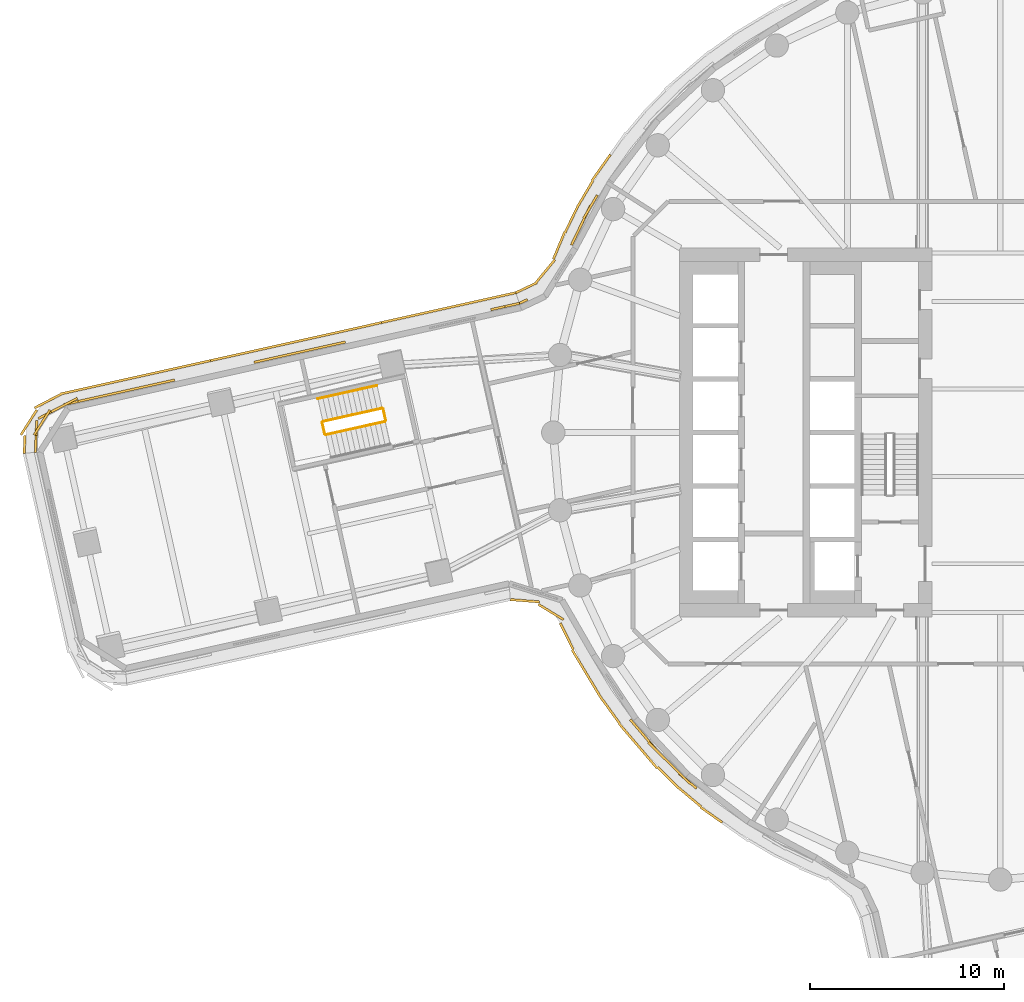
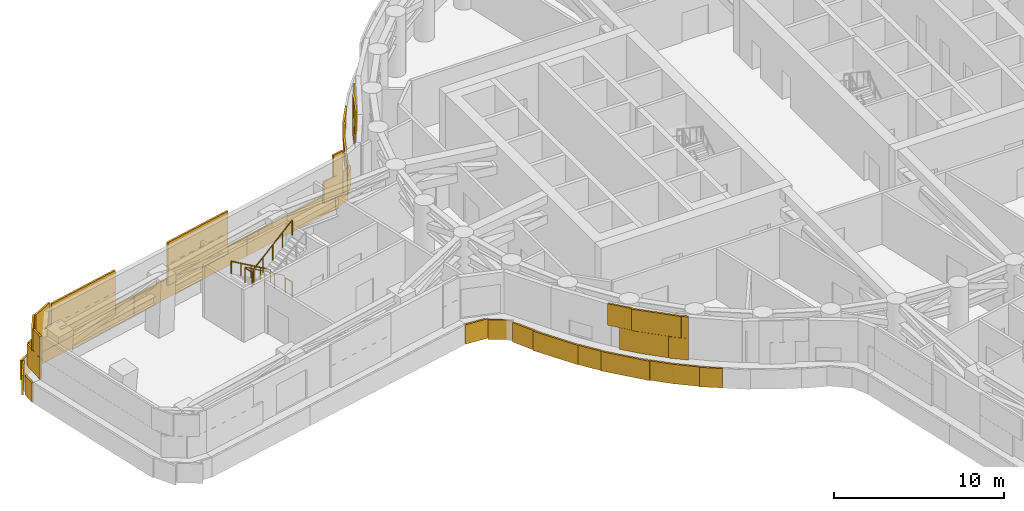
# One storey, part 18 of 22: 5 coverings, 5 railings.
"""IFC4 building model written with IfcOpenShell, lengths in metres."""

from ifc_helpers import new_model, si_unit, direction, frame, origin, origin_2d, place, context, subcontext, project, spatial, rectangle, circle, extrude, material, layer, layer_set, type_object, element, save


model = new_model("IFC4")

# Units and contexts
model_context = context("Model", 3, precision=1e-05, world=origin(), true_north=direction((0.0, 1.0)))
body_context = subcontext(model_context, "Body", "Model", "MODEL_VIEW")
ifc_project = project(units=[si_unit("LENGTHUNIT", "METRE"), si_unit("AREAUNIT", "SQUARE_METRE"), si_unit("VOLUMEUNIT", "CUBIC_METRE"), si_unit("PLANEANGLEUNIT", "RADIAN"), si_unit("MASSUNIT", "GRAM", prefix="KILO")], contexts=[model_context])

# Site, building, storey
site_placement = place(None, origin())
site = spatial("IfcSite", under=ifc_project, at=site_placement, CompositionType="ELEMENT")
building_placement = place(site_placement, origin())
building = spatial("IfcBuilding", under=site, at=building_placement, Name="Tamarind Cross Interchange Tower", CompositionType="ELEMENT")
storey_placement = place(building_placement, frame((0.0, 0.0, 79.0)))
storey = spatial("IfcBuildingStorey", under=building, at=storey_placement, Name="L18", CompositionType="ELEMENT", Elevation=79.0)

# Railings
ifc_material_1 = material(Name="Stair guard")
railing_type_1 = type_object("IfcRailingType", Name="Stair guard", PredefinedType="GUARDRAIL", material=ifc_material_1)
railing_1_placement = place(storey_placement, frame((-31.805419921875, 1.251220703125, 0.173095703125)))
element("IfcRailing", 1, at=railing_1_placement, inside=storey, type_object=railing_type_1, Name="L18 ST5 stair guard 1", PredefinedType="GUARDRAIL", context=body_context, shape_type="SweptSolid", body=[
    extrude(circle(Radius=0.02392578125, at=origin_2d()), frame((0.0, 0.0, 1.076171875), z_axis=(-0.812587629324, -0.180690828356, 0.554122882778), x_axis=(0.217063019009, -0.976157592696, 0.0)), (0.0, 0.0, 1.0), 3.748046875),
    extrude(circle(Radius=0.02099609375, at=origin_2d()), origin(), (0.0, 0.0, 1.0), 1.052001953125),
    extrude(circle(Radius=0.02099609375, at=origin_2d()), frame((-0.761474609375, -0.16943359375, 0.519287109375)), (0.0, 0.0, 1.0), 1.052001953125),
    extrude(circle(Radius=0.02099609375, at=origin_2d()), frame((-1.52294921875, -0.338623046875, 1.03857421875)), (0.0, 0.0, 1.0), 1.052001953125),
    extrude(circle(Radius=0.02099609375, at=origin_2d()), frame((-2.2841796875, -0.5078125, 1.5576171875)), (0.0, 0.0, 1.0), 1.052001953125),
    extrude(circle(Radius=0.02099609375, at=origin_2d()), frame((-3.045654296875, -0.67724609375, 2.076904296875)), (0.0, 0.0, 1.0), 1.052001953125),
])
railing_2_placement = place(storey_placement, frame((-34.888916015625, 0.514404296875, 2.25)))
element("IfcRailing", 2, at=railing_2_placement, inside=storey, type_object=railing_type_1, Name="L18 ST5 stair guard 2", PredefinedType="GUARDRAIL", context=body_context, shape_type="SweptSolid", body=[
    extrude(circle(Radius=0.02392578125, at=origin_2d()), frame((0.0, 0.0, 1.076171875), z_axis=(0.216887372157, -0.976196633778, 0.0), x_axis=(0.976196633778, 0.216887372157, 0.0)), (0.0, 0.0, 1.0), 0.599853515625),
    extrude(circle(Radius=0.02099609375, at=origin_2d()), origin(), (0.0, 0.0, 1.0), 1.052001953125),
    extrude(circle(Radius=0.02099609375, at=origin_2d()), frame((0.130126953125, -0.585693359375, 0.0)), (0.0, 0.0, 1.0), 1.052001953125),
])
railing_3_placement = place(storey_placement, frame((-34.698974609375, -0.109375, 2.423095703125)))
element("IfcRailing", 3, at=railing_3_placement, inside=storey, type_object=railing_type_1, Name="L18 ST5 stair guard 3", PredefinedType="GUARDRAIL", context=body_context, shape_type="SweptSolid", body=[
    extrude(circle(Radius=0.02392578125, at=origin_2d()), frame((0.0, 0.0, 1.076171875), z_axis=(0.812565500343, 0.180700392653, 0.554152213518), x_axis=(-0.217079600269, 0.976153905461, 0.0)), (0.0, 0.0, 1.0), 3.747802734375),
    extrude(circle(Radius=0.02099609375, at=origin_2d()), origin(), (0.0, 0.0, 1.0), 1.052001953125),
    extrude(circle(Radius=0.02099609375, at=origin_2d()), frame((0.76123046875, 0.16943359375, 0.519287109375)), (0.0, 0.0, 1.0), 1.052001953125),
    extrude(circle(Radius=0.02099609375, at=origin_2d()), frame((1.522705078125, 0.338623046875, 1.03857421875)), (0.0, 0.0, 1.0), 1.052001953125),
    extrude(circle(Radius=0.02099609375, at=origin_2d()), frame((2.2841796875, 0.5078125, 1.5576171875)), (0.0, 0.0, 1.0), 1.052001953125),
    extrude(circle(Radius=0.02099609375, at=origin_2d()), frame((3.04541015625, 0.67724609375, 2.076904296875)), (0.0, 0.0, 1.0), 1.052001953125),
])
railing_4_placement = place(storey_placement, frame((-31.745849609375, 1.21337890625, 0.0)))
element("IfcRailing", 4, at=railing_4_placement, inside=storey, type_object=railing_type_1, Name="L18 ST5 stair guard 4", PredefinedType="GUARDRAIL", context=body_context, shape_type="SweptSolid", body=[
    extrude(circle(Radius=0.02392578125, at=origin_2d()), frame((0.0, 0.0, 1.076171875), z_axis=(0.21727509746, -0.976110409751, 0.0), x_axis=(0.976110409751, 0.21727509746, 0.0)), (0.0, 0.0, 1.0), 0.60009765625),
    extrude(circle(Radius=0.02099609375, at=origin_2d()), origin(), (0.0, 0.0, 1.0), 1.052001953125),
    extrude(circle(Radius=0.02099609375, at=origin_2d()), frame((0.13037109375, -0.585693359375, 0.0)), (0.0, 0.0, 1.0), 1.052001953125),
])
ifc_material_2 = material(Name="Stair handrail")
railing_type_2 = type_object("IfcRailingType", Name="Stair handrail", PredefinedType="HANDRAIL", material=ifc_material_2)
railing_5_placement = place(storey_placement, frame((-32.06591796875, 2.422607421875, 0.173095703125)))
element("IfcRailing", 5, at=railing_5_placement, inside=storey, type_object=railing_type_2, Name="L18 ST5 stair handrail 1", PredefinedType="HANDRAIL", context=body_context, shape_type="SweptSolid", body=[
    extrude(circle(Radius=0.02392578125, at=origin_2d()), frame((0.0, 0.0, 0.8759765625), z_axis=(-0.812587629324, -0.180690828356, 0.554122882778), x_axis=(0.217063019009, -0.976157592696, 0.0)), (0.0, 0.0, 1.0), 3.748046875),
    extrude(circle(Radius=0.02099609375, at=origin_2d()), origin(), (0.0, 0.0, 1.0), 0.851806640625),
    extrude(circle(Radius=0.02099609375, at=origin_2d()), frame((-0.761474609375, -0.16943359375, 0.519287109375)), (0.0, 0.0, 1.0), 0.851806640625),
    extrude(circle(Radius=0.02099609375, at=origin_2d()), frame((-1.52294921875, -0.338623046875, 1.03857421875)), (0.0, 0.0, 1.0), 0.851806640625),
    extrude(circle(Radius=0.02099609375, at=origin_2d()), frame((-2.2841796875, -0.5078125, 1.5576171875)), (0.0, 0.0, 1.0), 0.851806640625),
    extrude(circle(Radius=0.02099609375, at=origin_2d()), frame((-3.045654296875, -0.67724609375, 2.076904296875)), (0.0, 0.0, 1.0), 0.851806640625),
])

# Coverings
ifc_material_3 = material(Name="Terracotta", Category="masonry")
ifc_layer = layer(ifc_material_3, 0.1201171875)
ifc_layer_set = layer_set([ifc_layer], Name="Terracotta")
covering_type = type_object("IfcCoveringType", Name="Terracotta baguette screen unit", PredefinedType="MOLDING", material=ifc_layer_set)
covering_1_placement = place(storey_placement, origin())
element("IfcCovering", 6, at=covering_1_placement, inside=storey, type_object=covering_type, Name="SCR-L18-02-00", PredefinedType="MOLDING", context=body_context, shape_type="SweptSolid", body=[
    extrude(rectangle(XDim=1.52001953125, YDim=0.1201171875, at=origin_2d()), frame((-18.062255859375, -15.906982421875, 1.404052734375), z_axis=(0.0, 0.0, 1.0), x_axis=(0.64957723968, -0.760295606781, 0.0)), (0.0, 0.0, 1.0), 1.5419921875),
    extrude(rectangle(XDim=1.52001953125, YDim=0.1201171875, at=origin_2d()), frame((-17.035400390625, -16.998779296875, 1.404052734375), z_axis=(0.0, 0.0, 1.0), x_axis=(0.710143317658, -0.704057148523, 0.0)), (0.0, 0.0, 1.0), 1.5419921875),
    extrude(rectangle(XDim=1.179931640625, YDim=0.1201171875, at=origin_2d()), frame((-16.07568359375, -17.92578125, 1.404052734375), z_axis=(0.0, 0.0, 1.0), x_axis=(0.765858396687, -0.643009266048, 0.0)), (0.0, 0.0, 1.0), 1.5419921875),
    extrude(rectangle(XDim=1.52001953125, YDim=0.1201171875, at=origin_2d()), frame((-18.549560546875, -15.336669921875, 2.9541015625), z_axis=(0.0, 0.0, 1.0), x_axis=(0.64957723968, -0.760295606781, 0.0)), (0.0, 0.0, 1.0), 1.5419921875),
    extrude(rectangle(XDim=1.52001953125, YDim=0.1201171875, at=origin_2d()), frame((-17.568115234375, -16.470703125, 2.9541015625), z_axis=(0.0, 0.0, 1.0), x_axis=(0.710143317658, -0.704057148523, 0.0)), (0.0, 0.0, 1.0), 1.5419921875),
    extrude(rectangle(XDim=1.52001953125, YDim=0.1201171875, at=origin_2d()), frame((-16.5029296875, -17.52685546875, 2.9541015625), z_axis=(0.0, 0.0, 1.0), x_axis=(0.710143317658, -0.704057148523, 0.0)), (0.0, 0.0, 1.0), 1.5419921875),
    extrude(rectangle(XDim=0.429931640625, YDim=0.1201171875, at=origin_2d()), frame((-15.78857421875, -18.1669921875, 2.9541015625), z_axis=(0.0, 0.0, 1.0), x_axis=(0.765858396687, -0.643009266048, 0.0)), (0.0, 0.0, 1.0), 1.5419921875),
    extrude(rectangle(XDim=1.510009765625, YDim=0.1201171875, at=origin_2d()), frame((-24.45947265625, -8.65283203125, 0.00390625), z_axis=(0.0, 0.0, 1.0), x_axis=(0.996760840748, -0.080422797465, 0.0)), (0.0, 0.0, 1.0), 1.39208984375),
    extrude(rectangle(XDim=1.52001953125, YDim=0.1201171875, at=origin_2d()), frame((-23.11767578125, -9.23193359375, 0.00390625), z_axis=(0.0, 0.0, 1.0), x_axis=(0.854987393146, -0.518648780545, 0.0)), (0.0, 0.0, 1.0), 1.39208984375),
    extrude(rectangle(XDim=1.52001953125, YDim=0.1201171875, at=origin_2d()), frame((-22.302001953125, -10.486328125, 0.00390625), z_axis=(0.0, 0.0, 1.0), x_axis=(0.443199220162, -0.896423142967, 0.0)), (0.0, 0.0, 1.0), 1.39208984375),
    extrude(rectangle(XDim=1.52001953125, YDim=0.1201171875, at=origin_2d()), frame((-21.63720703125, -11.8310546875, 0.00390625), z_axis=(0.0, 0.0, 1.0), x_axis=(0.515577308909, -0.856843065292, 0.0)), (0.0, 0.0, 1.0), 1.39208984375),
    extrude(rectangle(XDim=1.52001953125, YDim=0.1201171875, at=origin_2d()), frame((-20.86376953125, -13.1162109375, 0.00390625), z_axis=(0.0, 0.0, 1.0), x_axis=(0.515577308909, -0.856843065292, 0.0)), (0.0, 0.0, 1.0), 1.39208984375),
    extrude(rectangle(XDim=1.52001953125, YDim=0.1201171875, at=origin_2d()), frame((-20.024169921875, -14.357666015625, 0.00390625), z_axis=(0.0, 0.0, 1.0), x_axis=(0.584573890505, -0.811340475102, 0.0)), (0.0, 0.0, 1.0), 1.39208984375),
    extrude(rectangle(XDim=1.52001953125, YDim=0.1201171875, at=origin_2d()), frame((-19.11962890625, -15.552978515625, 0.00390625), z_axis=(0.0, 0.0, 1.0), x_axis=(0.64957723968, -0.760295606781, 0.0)), (0.0, 0.0, 1.0), 1.39208984375),
    extrude(rectangle(XDim=1.52001953125, YDim=0.1201171875, at=origin_2d()), frame((-18.145263671875, -16.693359375, 0.00390625), z_axis=(0.0, 0.0, 1.0), x_axis=(0.64957723968, -0.760295606781, 0.0)), (0.0, 0.0, 1.0), 1.39208984375),
    extrude(rectangle(XDim=1.52001953125, YDim=0.1201171875, at=origin_2d()), frame((-17.0869140625, -17.755859375, 0.00390625), z_axis=(0.0, 0.0, 1.0), x_axis=(0.710143317658, -0.704057148523, 0.0)), (0.0, 0.0, 1.0), 1.39208984375),
    extrude(rectangle(XDim=1.52001953125, YDim=0.1201171875, at=origin_2d()), frame((-15.974365234375, -18.76025390625, 0.00390625), z_axis=(0.0, 0.0, 1.0), x_axis=(0.765858396687, -0.643009266048, 0.0)), (0.0, 0.0, 1.0), 1.39208984375),
    extrude(rectangle(XDim=1.376220703125, YDim=0.1201171875, at=origin_2d()), frame((-14.86865234375, -19.6630859375, 0.00390625), z_axis=(0.0, 0.0, 1.0), x_axis=(0.816341886298, -0.577568978284, 0.0)), (0.0, 0.0, 1.0), 1.39208984375),
])
covering_2_placement = place(storey_placement, origin())
element("IfcCovering", 7, at=covering_2_placement, inside=storey, type_object=covering_type, Name="SCR-L18-14-01", PredefinedType="MOLDING", context=body_context, shape_type="SweptSolid", body=[
    extrude(rectangle(XDim=0.64013671875, YDim=0.1201171875, at=origin_2d()), frame((-20.895751953125, 11.942626953125, 1.404052734375), z_axis=(0.0, 0.0, 1.0), x_axis=(-0.508183308752, -0.861248933065, 0.0)), (0.0, 0.0, 1.0), 1.5419921875),
    extrude(rectangle(XDim=1.52001953125, YDim=0.1201171875, at=origin_2d()), frame((-21.407470703125, 11.009765625, 1.404052734375), z_axis=(0.0, 0.0, 1.0), x_axis=(-0.435326231914, -0.900272776334, 0.0)), (0.0, 0.0, 1.0), 1.5419921875),
    extrude(rectangle(XDim=0.4677734375, YDim=0.1201171875, at=origin_2d()), frame((-24.535888671875, 6.7509765625, 1.404052734375), z_axis=(0.0, 0.0, 1.0), x_axis=(-0.904149123299, -0.427216997365, 0.0)), (0.0, 0.0, 1.0), 1.5419921875),
    extrude(rectangle(XDim=1.39013671875, YDim=0.1201171875, at=origin_2d()), frame((-21.086181640625, 11.61962890625, 2.9541015625), z_axis=(0.0, 0.0, 1.0), x_axis=(-0.508183308752, -0.861248933065, 0.0)), (0.0, 0.0, 1.0), 1.5419921875),
    extrude(rectangle(XDim=1.52001953125, YDim=0.1201171875, at=origin_2d()), frame((-21.734130859375, 10.33447265625, 2.9541015625), z_axis=(0.0, 0.0, 1.0), x_axis=(-0.435326231914, -0.900272776334, 0.0)), (0.0, 0.0, 1.0), 1.5419921875),
    extrude(rectangle(XDim=0.143798828125, YDim=0.1201171875, at=origin_2d()), frame((-20.10205078125, 14.248291015625, 0.00390625), z_axis=(0.0, 0.0, 1.0), x_axis=(-0.577568978284, -0.816341886298, 0.0)), (0.0, 0.0, 1.0), 1.39208984375),
    extrude(rectangle(XDim=1.52001953125, YDim=0.1201171875, at=origin_2d()), frame((-20.57080078125, 13.58544921875, 0.00390625), z_axis=(0.0, 0.0, 1.0), x_axis=(-0.577568978284, -0.816341886298, 0.0)), (0.0, 0.0, 1.0), 1.39208984375),
    extrude(rectangle(XDim=1.52001953125, YDim=0.1201171875, at=origin_2d()), frame((-21.34912109375, 12.303955078125, 0.00390625), z_axis=(0.0, 0.0, 1.0), x_axis=(-0.508183308752, -0.861248933065, 0.0)), (0.0, 0.0, 1.0), 1.39208984375),
    extrude(rectangle(XDim=1.52001953125, YDim=0.1201171875, at=origin_2d()), frame((-22.057861328125, 10.9833984375, 0.00390625), z_axis=(0.0, 0.0, 1.0), x_axis=(-0.435326231914, -0.900272776334, 0.0)), (0.0, 0.0, 1.0), 1.39208984375),
    extrude(rectangle(XDim=1.52001953125, YDim=0.1201171875, at=origin_2d()), frame((-22.700439453125, 9.62841796875, 0.00390625), z_axis=(0.0, 0.0, 1.0), x_axis=(-0.384516546939, -0.923118099232, 0.0)), (0.0, 0.0, 1.0), 1.39208984375),
    extrude(rectangle(XDim=1.52001953125, YDim=0.1201171875, at=origin_2d()), frame((-23.396728515625, 8.31591796875, 0.00390625), z_axis=(0.0, 0.0, 1.0), x_axis=(-0.637800965982, -0.77020122552, 0.0)), (0.0, 0.0, 1.0), 1.39208984375),
    extrude(rectangle(XDim=1.201904296875, YDim=0.1201171875, at=origin_2d()), frame((-24.38671875, 7.456298828125, 0.00390625), z_axis=(0.0, 0.0, 1.0), x_axis=(-0.904149123299, -0.427216997365, 0.0)), (0.0, 0.0, 1.0), 1.39208984375),
])
covering_3_placement = place(storey_placement, origin())
element("IfcCovering", 8, at=covering_3_placement, inside=storey, type_object=covering_type, Name="SCR-L18-15-00", PredefinedType="MOLDING", context=body_context, shape_type="SweptSolid", body=[
    extrude(rectangle(XDim=1.510009765625, YDim=0.1201171875, at=origin_2d()), frame((-25.474853515625, 6.490478515625, 1.404052734375), z_axis=(0.0, 0.0, 1.0), x_axis=(-0.976153759752, -0.217080255487, 0.0)), (0.0, 0.0, 1.0), 1.5419921875),
    extrude(rectangle(XDim=0.760009765625, YDim=0.1201171875, at=origin_2d()), frame((-25.10888671875, 6.57177734375, 2.9541015625), z_axis=(0.0, 0.0, 1.0), x_axis=(-0.976153759752, -0.217080255487, 0.0)), (0.0, 0.0, 1.0), 1.5419921875),
    extrude(rectangle(XDim=1.510009765625, YDim=0.1201171875, at=origin_2d()), frame((-25.6669921875, 7.03564453125, 0.00390625), z_axis=(0.0, 0.0, 1.0), x_axis=(-0.976153759752, -0.217080255487, 0.0)), (0.0, 0.0, 1.0), 1.39208984375),
    extrude(rectangle(XDim=1.52001953125, YDim=0.1201171875, at=origin_2d()), frame((-27.126220703125, 6.711181640625, 0.00390625), z_axis=(0.0, 0.0, 1.0), x_axis=(-0.976153759752, -0.217080255487, 0.0)), (0.0, 0.0, 1.0), 1.39208984375),
    extrude(rectangle(XDim=1.52001953125, YDim=0.1201171875, at=origin_2d()), frame((-28.590576171875, 6.385498046875, 0.00390625), z_axis=(0.0, 0.0, 1.0), x_axis=(-0.976153759752, -0.217080255487, 0.0)), (0.0, 0.0, 1.0), 1.39208984375),
    extrude(rectangle(XDim=1.52001953125, YDim=0.1201171875, at=origin_2d()), frame((-30.0546875, 6.06005859375, 0.00390625), z_axis=(0.0, 0.0, 1.0), x_axis=(-0.976153759752, -0.217080255487, 0.0)), (0.0, 0.0, 1.0), 1.39208984375),
    extrude(rectangle(XDim=1.0908203125, YDim=0.1201171875, at=origin_2d()), frame((-31.3095703125, 5.781005859375, 0.00390625), z_axis=(0.0, 0.0, 1.0), x_axis=(-0.976153759752, -0.217080255487, 0.0)), (0.0, 0.0, 1.0), 1.39208984375),
])
covering_4_placement = place(storey_placement, origin())
element("IfcCovering", 9, at=covering_4_placement, inside=storey, type_object=covering_type, Name="SCR-L18-15-01", PredefinedType="MOLDING", context=body_context, shape_type="SweptSolid", body=[
    extrude(rectangle(XDim=1.33251953125, YDim=0.1201171875, at=origin_2d()), frame((-34.346923828125, 4.517578125, 1.404052734375), z_axis=(0.0, 0.0, 1.0), x_axis=(-0.976153759752, -0.217080255487, 0.0)), (0.0, 0.0, 1.0), 1.5419921875),
    extrude(rectangle(XDim=1.52001953125, YDim=0.1201171875, at=origin_2d()), frame((-35.724365234375, 4.211181640625, 1.404052734375), z_axis=(0.0, 0.0, 1.0), x_axis=(-0.976153759752, -0.217080255487, 0.0)), (0.0, 0.0, 1.0), 1.5419921875),
    extrude(rectangle(XDim=1.52001953125, YDim=0.1201171875, at=origin_2d()), frame((-37.188720703125, 3.885498046875, 1.404052734375), z_axis=(0.0, 0.0, 1.0), x_axis=(-0.976153759752, -0.217080255487, 0.0)), (0.0, 0.0, 1.0), 1.5419921875),
    extrude(rectangle(XDim=0.48828125, YDim=0.1201171875, at=origin_2d()), frame((-38.154296875, 3.670654296875, 1.404052734375), z_axis=(0.0, 0.0, 1.0), x_axis=(-0.976153759752, -0.217080255487, 0.0)), (0.0, 0.0, 1.0), 1.5419921875),
    extrude(rectangle(XDim=0.58251953125, YDim=0.1201171875, at=origin_2d()), frame((-33.980712890625, 4.598876953125, 2.9541015625), z_axis=(0.0, 0.0, 1.0), x_axis=(-0.976153759752, -0.217080255487, 0.0)), (0.0, 0.0, 1.0), 1.5419921875),
    extrude(rectangle(XDim=1.52001953125, YDim=0.1201171875, at=origin_2d()), frame((-34.992431640625, 4.3740234375, 2.9541015625), z_axis=(0.0, 0.0, 1.0), x_axis=(-0.976153759752, -0.217080255487, 0.0)), (0.0, 0.0, 1.0), 1.5419921875),
    extrude(rectangle(XDim=1.52001953125, YDim=0.1201171875, at=origin_2d()), frame((-36.45654296875, 4.04833984375, 2.9541015625), z_axis=(0.0, 0.0, 1.0), x_axis=(-0.976153759752, -0.217080255487, 0.0)), (0.0, 0.0, 1.0), 1.5419921875),
    extrude(rectangle(XDim=1.23828125, YDim=0.1201171875, at=origin_2d()), frame((-37.7880859375, 3.752197265625, 2.9541015625), z_axis=(0.0, 0.0, 1.0), x_axis=(-0.976153759752, -0.217080255487, 0.0)), (0.0, 0.0, 1.0), 1.5419921875),
    extrude(rectangle(XDim=0.42919921875, YDim=0.1201171875, at=origin_2d()), frame((-32.051513671875, 5.615966796875, 0.00390625), z_axis=(0.0, 0.0, 1.0), x_axis=(-0.976153759752, -0.217080255487, 0.0)), (0.0, 0.0, 1.0), 1.39208984375),
    extrude(rectangle(XDim=1.52001953125, YDim=0.1201171875, at=origin_2d()), frame((-32.983154296875, 5.40869140625, 0.00390625), z_axis=(0.0, 0.0, 1.0), x_axis=(-0.976153759752, -0.217080255487, 0.0)), (0.0, 0.0, 1.0), 1.39208984375),
    extrude(rectangle(XDim=1.52001953125, YDim=0.1201171875, at=origin_2d()), frame((-34.447509765625, 5.0830078125, 0.00390625), z_axis=(0.0, 0.0, 1.0), x_axis=(-0.976153759752, -0.217080255487, 0.0)), (0.0, 0.0, 1.0), 1.39208984375),
    extrude(rectangle(XDim=1.52001953125, YDim=0.1201171875, at=origin_2d()), frame((-35.91162109375, 4.757568359375, 0.00390625), z_axis=(0.0, 0.0, 1.0), x_axis=(-0.976153759752, -0.217080255487, 0.0)), (0.0, 0.0, 1.0), 1.39208984375),
    extrude(rectangle(XDim=1.52001953125, YDim=0.1201171875, at=origin_2d()), frame((-37.3759765625, 4.431884765625, 0.00390625), z_axis=(0.0, 0.0, 1.0), x_axis=(-0.976153759752, -0.217080255487, 0.0)), (0.0, 0.0, 1.0), 1.39208984375),
    extrude(rectangle(XDim=1.52001953125, YDim=0.1201171875, at=origin_2d()), frame((-38.840087890625, 4.106201171875, 0.00390625), z_axis=(0.0, 0.0, 1.0), x_axis=(-0.976153759752, -0.217080255487, 0.0)), (0.0, 0.0, 1.0), 1.39208984375),
    extrude(rectangle(XDim=1.095947265625, YDim=0.1201171875, at=origin_2d()), frame((-40.097412109375, 3.82666015625, 0.00390625), z_axis=(0.0, 0.0, 1.0), x_axis=(-0.976153759752, -0.217080255487, 0.0)), (0.0, 0.0, 1.0), 1.39208984375),
])
covering_5_placement = place(storey_placement, origin())
element("IfcCovering", 10, at=covering_5_placement, inside=storey, type_object=covering_type, Name="SCR-L18-15-02", PredefinedType="MOLDING", context=body_context, shape_type="SweptSolid", body=[
    extrude(rectangle(XDim=1.331787109375, YDim=0.1201171875, at=origin_2d()), frame((-43.132568359375, 2.563720703125, 1.404052734375), z_axis=(0.0, 0.0, 1.0), x_axis=(-0.976153759752, -0.217080255487, 0.0)), (0.0, 0.0, 1.0), 1.5419921875),
    extrude(rectangle(XDim=1.52001953125, YDim=0.1201171875, at=origin_2d()), frame((-44.509765625, 2.25732421875, 1.404052734375), z_axis=(0.0, 0.0, 1.0), x_axis=(-0.976153759752, -0.217080255487, 0.0)), (0.0, 0.0, 1.0), 1.5419921875),
    extrude(rectangle(XDim=1.52001953125, YDim=0.1201171875, at=origin_2d()), frame((-45.97412109375, 1.931884765625, 1.404052734375), z_axis=(0.0, 0.0, 1.0), x_axis=(-0.976153759752, -0.217080255487, 0.0)), (0.0, 0.0, 1.0), 1.5419921875),
    extrude(rectangle(XDim=1.52001953125, YDim=0.1201171875, at=origin_2d()), frame((-47.438232421875, 1.606201171875, 1.404052734375), z_axis=(0.0, 0.0, 1.0), x_axis=(-0.976153759752, -0.217080255487, 0.0)), (0.0, 0.0, 1.0), 1.5419921875),
    extrude(rectangle(XDim=1.52001953125, YDim=0.1201171875, at=origin_2d()), frame((-48.826171875, 1.0712890625, 1.404052734375), z_axis=(0.0, 0.0, 1.0), x_axis=(-0.886707622538, -0.462330609125, 0.0)), (0.0, 0.0, 1.0), 1.5419921875),
    extrude(rectangle(XDim=1.52001953125, YDim=0.1201171875, at=origin_2d()), frame((-49.60986328125, -0.141845703125, 1.404052734375), z_axis=(0.0, 0.0, 1.0), x_axis=(-0.04296375882, -0.999076631409, 0.0)), (0.0, 0.0, 1.0), 1.5419921875),
    extrude(rectangle(XDim=0.133056640625, YDim=0.1201171875, at=origin_2d()), frame((-49.644775390625, -0.95263671875, 1.404052734375), z_axis=(0.0, 0.0, 1.0), x_axis=(-0.04296375882, -0.999076631409, 0.0)), (0.0, 0.0, 1.0), 1.5419921875),
    extrude(rectangle(XDim=0.581787109375, YDim=0.1201171875, at=origin_2d()), frame((-42.7666015625, 2.64501953125, 2.9541015625), z_axis=(0.0, 0.0, 1.0), x_axis=(-0.976153759752, -0.217080255487, 0.0)), (0.0, 0.0, 1.0), 1.5419921875),
    extrude(rectangle(XDim=1.52001953125, YDim=0.1201171875, at=origin_2d()), frame((-43.77783203125, 2.420166015625, 2.9541015625), z_axis=(0.0, 0.0, 1.0), x_axis=(-0.976153759752, -0.217080255487, 0.0)), (0.0, 0.0, 1.0), 1.5419921875),
    extrude(rectangle(XDim=1.52001953125, YDim=0.1201171875, at=origin_2d()), frame((-45.241943359375, 2.094482421875, 2.9541015625), z_axis=(0.0, 0.0, 1.0), x_axis=(-0.976153759752, -0.217080255487, 0.0)), (0.0, 0.0, 1.0), 1.5419921875),
    extrude(rectangle(XDim=1.52001953125, YDim=0.1201171875, at=origin_2d()), frame((-46.706298828125, 1.76904296875, 2.9541015625), z_axis=(0.0, 0.0, 1.0), x_axis=(-0.976153759752, -0.217080255487, 0.0)), (0.0, 0.0, 1.0), 1.5419921875),
    extrude(rectangle(XDim=1.52001953125, YDim=0.1201171875, at=origin_2d()), frame((-48.1611328125, 1.41796875, 2.9541015625), z_axis=(0.0, 0.0, 1.0), x_axis=(-0.886707622538, -0.462330609125, 0.0)), (0.0, 0.0, 1.0), 1.5419921875),
    extrude(rectangle(XDim=1.52001953125, YDim=0.1201171875, at=origin_2d()), frame((-49.30517578125, 0.521728515625, 2.9541015625), z_axis=(0.0, 0.0, 1.0), x_axis=(-0.536746022285, -0.843743863718, 0.0)), (0.0, 0.0, 1.0), 1.5419921875),
    extrude(rectangle(XDim=0.883056640625, YDim=0.1201171875, at=origin_2d()), frame((-49.628662109375, -0.577880859375, 2.9541015625), z_axis=(0.0, 0.0, 1.0), x_axis=(-0.04296375882, -0.999076631409, 0.0)), (0.0, 0.0, 1.0), 1.5419921875),
    extrude(rectangle(XDim=0.424072265625, YDim=0.1201171875, at=origin_2d()), frame((-40.83935546875, 3.66162109375, 0.00390625), z_axis=(0.0, 0.0, 1.0), x_axis=(-0.976153759752, -0.217080255487, 0.0)), (0.0, 0.0, 1.0), 1.39208984375),
    extrude(rectangle(XDim=1.52001953125, YDim=0.1201171875, at=origin_2d()), frame((-41.7685546875, 3.455078125, 0.00390625), z_axis=(0.0, 0.0, 1.0), x_axis=(-0.976153759752, -0.217080255487, 0.0)), (0.0, 0.0, 1.0), 1.39208984375),
    extrude(rectangle(XDim=1.52001953125, YDim=0.1201171875, at=origin_2d()), frame((-43.23291015625, 3.12939453125, 0.00390625), z_axis=(0.0, 0.0, 1.0), x_axis=(-0.976153759752, -0.217080255487, 0.0)), (0.0, 0.0, 1.0), 1.39208984375),
    extrude(rectangle(XDim=1.52001953125, YDim=0.1201171875, at=origin_2d()), frame((-44.697021484375, 2.8037109375, 0.00390625), z_axis=(0.0, 0.0, 1.0), x_axis=(-0.976153759752, -0.217080255487, 0.0)), (0.0, 0.0, 1.0), 1.39208984375),
    extrude(rectangle(XDim=1.52001953125, YDim=0.1201171875, at=origin_2d()), frame((-46.161376953125, 2.478271484375, 0.00390625), z_axis=(0.0, 0.0, 1.0), x_axis=(-0.976153759752, -0.217080255487, 0.0)), (0.0, 0.0, 1.0), 1.39208984375),
    extrude(rectangle(XDim=1.52001953125, YDim=0.1201171875, at=origin_2d()), frame((-47.62548828125, 2.152587890625, 0.00390625), z_axis=(0.0, 0.0, 1.0), x_axis=(-0.976153759752, -0.217080255487, 0.0)), (0.0, 0.0, 1.0), 1.39208984375),
    extrude(rectangle(XDim=1.52001953125, YDim=0.1201171875, at=origin_2d()), frame((-49.014404296875, 1.62060546875, 0.00390625), z_axis=(0.0, 0.0, 1.0), x_axis=(-0.886707622538, -0.462330609125, 0.0)), (0.0, 0.0, 1.0), 1.39208984375),
    extrude(rectangle(XDim=1.52001953125, YDim=0.1201171875, at=origin_2d()), frame((-49.980224609375, 0.530029296875, 0.00390625), z_axis=(0.0, 0.0, 1.0), x_axis=(-0.536746022285, -0.843743863718, 0.0)), (0.0, 0.0, 1.0), 1.39208984375),
    extrude(rectangle(XDim=0.91064453125, YDim=0.1201171875, at=origin_2d()), frame((-50.204345703125, -0.60986328125, 0.00390625), z_axis=(0.0, 0.0, 1.0), x_axis=(-0.04296375882, -0.999076631409, 0.0)), (0.0, 0.0, 1.0), 1.39208984375),
])

save(model, "model.ifc")
